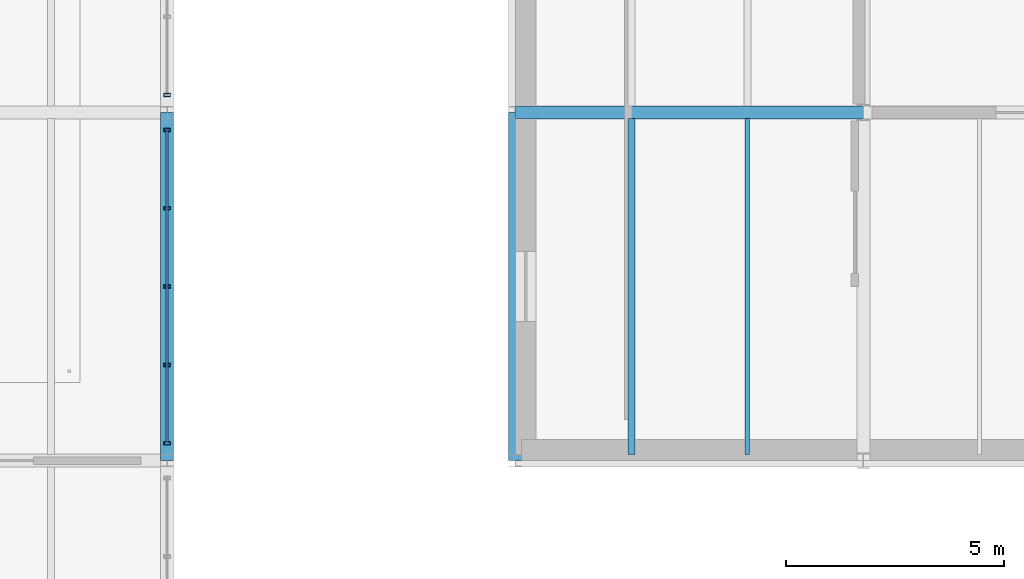
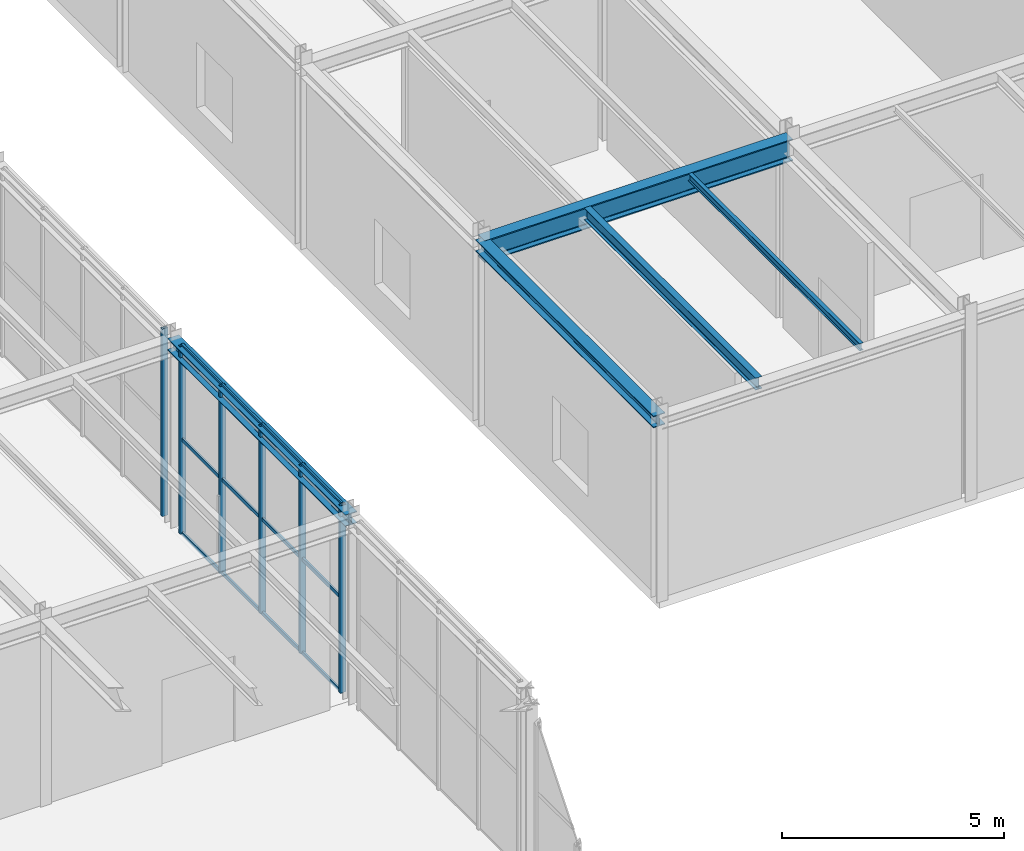
# One storey, part 50 of 129: 18 members, 5 beams, 2 elements without a shape of their own.
"""IFC4 building model written with IfcOpenShell, lengths in metres."""

from ifc_helpers import new_model, si_unit, direction, frame, origin, origin_2d, place, context, subcontext, project, spatial, hollow_rectangle, i_section, extrude, material, material_profile, profile_set, type_object, element, aggregate, save


model = new_model("IFC4")

# Units and contexts
model_context = context("Model", 3, precision=1e-05, world=origin(), true_north=direction((0.0, 1.0)))
body_context = subcontext(model_context, "Body", "Model", "MODEL_VIEW")
ifc_project = project(units=[si_unit("LENGTHUNIT", "METRE"), si_unit("AREAUNIT", "SQUARE_METRE"), si_unit("VOLUMEUNIT", "CUBIC_METRE"), si_unit("PLANEANGLEUNIT", "RADIAN"), si_unit("MASSUNIT", "GRAM", prefix="KILO")], contexts=[model_context])

# Site, building, storey
site_placement = place(None, origin())
site = spatial("IfcSite", under=ifc_project, at=site_placement, CompositionType="ELEMENT")
building_placement = place(site_placement, origin())
building = spatial("IfcBuilding", under=site, at=building_placement, Name="Sundkrona Museum", CompositionType="ELEMENT")
storey_placement = place(building_placement, origin())
storey = spatial("IfcBuildingStorey", under=building, at=storey_placement, Name="L00", CompositionType="ELEMENT", Elevation=0.0)

# Beams
ifc_material_1 = material(Name="Steel S355J2", Category="steel")
ifc_material_profile_1 = material_profile(ifc_material_1, i_section(OverallWidth=0.300048828125, OverallDepth=0.60009765625, WebThickness=0.015380859375, FlangeThickness=0.030029296875, FilletRadius=0.027099609375, at=origin_2d()), Name="HEB 600")
ifc_profile_set_1 = profile_set([ifc_material_profile_1], Name="Steel S355J2")
beam_type_1 = type_object("IfcBeamType", Name="B-HEB600", PredefinedType="BEAM", material=ifc_profile_set_1)
beam_1_placement = place(storey_placement, frame((104.0, 86.0, 4.75), z_axis=(1.0, 0.0, 0.0), x_axis=(0.0, 1.0, 0.0)))
element("IfcBeam", 1, at=beam_1_placement, inside=storey, type_object=beam_type_1, Name="L00 Girder X-0540", PredefinedType="BEAM", context=body_context, shape_type="SweptSolid", body=[
    extrude(i_section(OverallWidth=0.300048828125, OverallDepth=0.60009765625, WebThickness=0.015380859375, FlangeThickness=0.030029296875, FilletRadius=0.027099609375, at=origin_2d()), origin(), (0.0, 0.0, 1.0), 8.0),
])
ifc_material_profile_2 = material_profile(ifc_material_1, i_section(OverallWidth=0.10009765625, OverallDepth=0.199951171875, WebThickness=0.005615234375, FlangeThickness=0.008544921875, FilletRadius=0.011962890625, at=origin_2d()), Name="IPE 200")
ifc_profile_set_2 = profile_set([ifc_material_profile_2], Name="Steel S355J2")
beam_type_2 = type_object("IfcBeamType", Name="J-IPE200", PredefinedType="JOIST", material=ifc_profile_set_2)
beam_2_placement = place(storey_placement, frame((109.333251953125, 78.14404296875, 4.949951171875), z_axis=(0.0, 1.0, 0.0), x_axis=(-1.0, 0.0, 0.0)))
element("IfcBeam", 2, at=beam_2_placement, inside=storey, type_object=beam_type_2, Name="L00 Composite Joist 0440", PredefinedType="JOIST", context=body_context, shape_type="SweptSolid", body=[
    extrude(i_section(OverallWidth=0.10009765625, OverallDepth=0.199951171875, WebThickness=0.005615234375, FlangeThickness=0.008544921875, FilletRadius=0.011962890625, at=origin_2d()), origin(), (0.0, 0.0, 1.0), 7.7119140625),
])
ifc_material_profile_3 = material_profile(ifc_material_1, i_section(OverallWidth=0.159912109375, OverallDepth=0.330078125, WebThickness=0.007568359375, FlangeThickness=0.011474609375, FilletRadius=0.01806640625, at=origin_2d()), Name="IPE 330")
ifc_profile_set_3 = profile_set([ifc_material_profile_3], Name="Steel S355J2")
beam_type_3 = type_object("IfcBeamType", Name="J-IPE330", PredefinedType="JOIST", material=ifc_profile_set_3)
beam_3_placement = place(storey_placement, frame((106.666748046875, 78.14404296875, 4.885009765625), z_axis=(0.0, 1.0, 0.0), x_axis=(-1.0, 0.0, 0.0)))
element("IfcBeam", 3, at=beam_3_placement, inside=storey, type_object=beam_type_3, Name="L00 Composite Joist 0439", PredefinedType="JOIST", context=body_context, shape_type="SweptSolid", body=[
    extrude(i_section(OverallWidth=0.159912109375, OverallDepth=0.330078125, WebThickness=0.007568359375, FlangeThickness=0.011474609375, FilletRadius=0.01806640625, at=origin_2d()), origin(), (0.0, 0.0, 1.0), 7.7119140625),
])

# Curtain wall, members
ifc_material_2 = material(Name="Unitised Aluminium-Steel and Ceramic-Clad Curtain Walling", Category="steel")
curtain_wall_type = type_object("IfcCurtainWallType", Name="CW-PS-74x48", PredefinedType="NOTDEFINED", material=ifc_material_2)
curtain_wall_1_placement = place(storey_placement, origin())
curtain_wall_1 = element("IfcCurtainWall", 4, at=curtain_wall_1_placement, inside=storey, type_object=curtain_wall_type, Name="L00 Curtain Wall CW-L00-103", PredefinedType="NOTDEFINED")
ifc_material_3 = material(Name="Aluminium EN AW-6060 T66", Category="aluminium")
ifc_material_profile_4 = material_profile(ifc_material_3, hollow_rectangle(XDim=0.074951171875, YDim=0.14990234375, WallThickness=0.00634765625, at=origin_2d()), Name="RHS 150x75x6.3")
ifc_profile_set_4 = profile_set([ifc_material_profile_4], Name="Aluminium EN AW-6060 T66")
member_type_1 = type_object("IfcMemberType", Name="ML-150", PredefinedType="MULLION", material=ifc_profile_set_4)
member_1_placement = place(storey_placement, frame((96.0, 78.39990234375, -0.00390625), z_axis=(0.0, 0.0, 1.0), x_axis=(0.0, 1.0, 0.0)))
member_1 = element("IfcMember", 5, at=member_1_placement, type_object=member_type_1, Name="CW-L00-103 Mullion 01", PredefinedType="MULLION", context=body_context, shape_type="SweptSolid", body=[
    extrude(hollow_rectangle(XDim=0.074951171875, YDim=0.14990234375, WallThickness=0.00634765625, at=origin_2d()), origin(), (0.0, 0.0, 1.0), 5.14794921875),
])
member_2_placement = place(storey_placement, frame((96.0, 80.199951171875, -0.00390625), z_axis=(0.0, 0.0, 1.0), x_axis=(0.0, 1.0, 0.0)))
member_2 = element("IfcMember", 6, at=member_2_placement, type_object=member_type_1, Name="CW-L00-103 Mullion 02", PredefinedType="MULLION", context=body_context, shape_type="SweptSolid", body=[
    extrude(hollow_rectangle(XDim=0.074951171875, YDim=0.14990234375, WallThickness=0.00634765625, at=origin_2d()), origin(), (0.0, 0.0, 1.0), 5.14794921875),
])
member_3_placement = place(storey_placement, frame((96.0, 82.0, -0.00390625), z_axis=(0.0, 0.0, 1.0), x_axis=(0.0, 1.0, 0.0)))
member_3 = element("IfcMember", 7, at=member_3_placement, type_object=member_type_1, Name="CW-L00-103 Mullion 03", PredefinedType="MULLION", context=body_context, shape_type="SweptSolid", body=[
    extrude(hollow_rectangle(XDim=0.074951171875, YDim=0.14990234375, WallThickness=0.00634765625, at=origin_2d()), origin(), (0.0, 0.0, 1.0), 5.14794921875),
])
member_4_placement = place(storey_placement, frame((96.0, 83.800048828125, -0.00390625), z_axis=(0.0, 0.0, 1.0), x_axis=(0.0, 1.0, 0.0)))
member_4 = element("IfcMember", 8, at=member_4_placement, type_object=member_type_1, Name="CW-L00-103 Mullion 04", PredefinedType="MULLION", context=body_context, shape_type="SweptSolid", body=[
    extrude(hollow_rectangle(XDim=0.074951171875, YDim=0.14990234375, WallThickness=0.00634765625, at=origin_2d()), origin(), (0.0, 0.0, 1.0), 5.14794921875),
])
member_5_placement = place(storey_placement, frame((96.0, 85.60009765625, -0.00390625), z_axis=(0.0, 0.0, 1.0), x_axis=(0.0, 1.0, 0.0)))
member_5 = element("IfcMember", 9, at=member_5_placement, type_object=member_type_1, Name="CW-L00-103 Mullion 05", PredefinedType="MULLION", context=body_context, shape_type="SweptSolid", body=[
    extrude(hollow_rectangle(XDim=0.074951171875, YDim=0.14990234375, WallThickness=0.00634765625, at=origin_2d()), origin(), (0.0, 0.0, 1.0), 5.14794921875),
])

# Curtain wall, member
curtain_wall_2_placement = place(storey_placement, origin())
curtain_wall_2 = element("IfcCurtainWall", 10, at=curtain_wall_2_placement, inside=storey, type_object=curtain_wall_type, Name="L00 Curtain Wall CW-L00-105", PredefinedType="NOTDEFINED")
member_6_placement = place(storey_placement, frame((96.0, 86.39990234375, -0.00390625), z_axis=(0.0, 0.0, 1.0), x_axis=(0.0, 1.0, 0.0)))
member_6 = element("IfcMember", 11, at=member_6_placement, type_object=member_type_1, Name="CW-L00-105 Mullion 01", PredefinedType="MULLION", context=body_context, shape_type="SweptSolid", body=[
    extrude(hollow_rectangle(XDim=0.074951171875, YDim=0.14990234375, WallThickness=0.00634765625, at=origin_2d()), origin(), (0.0, 0.0, 1.0), 5.14794921875),
])
aggregate(curtain_wall_2, [member_6])

# Beams
ifc_material_profile_5 = material_profile(ifc_material_1, i_section(OverallWidth=0.300048828125, OverallDepth=0.320068359375, WebThickness=0.011474609375, FlangeThickness=0.0205078125, FilletRadius=0.027099609375, at=origin_2d()), Name="HEB 320")
ifc_profile_set_5 = profile_set([ifc_material_profile_5], Name="Steel S355J2")
beam_type_4 = type_object("IfcBeamType", Name="SP-HEB320", PredefinedType="SPANDREL", material=ifc_profile_set_5)
for number, where, z_axis, x_axis, name in (
    (12, (96.0, 78.0, 4.97998046875), (0.0, 1.0, 0.0), (-1.0, 0.0, 0.0), "L00 Girder Y-0706"),
    (13, (104.0, 78.0, 4.889892578125), (0.0, 1.0, 0.0), (-1.0, 0.0, 0.0), "L00 Girder Y-0711"),
):
    element("IfcBeam", number, at=place(storey_placement, frame(where, z_axis=z_axis, x_axis=x_axis)), inside=storey, type_object=beam_type_4, Name=name, PredefinedType="SPANDREL", context=body_context, shape_type="SweptSolid", body=[
        extrude(i_section(OverallWidth=0.300048828125, OverallDepth=0.320068359375, WebThickness=0.011474609375, FlangeThickness=0.0205078125, FilletRadius=0.027099609375, at=origin_2d()), origin(), (0.0, 0.0, 1.0), 8.0),
    ])

# Member
ifc_material_profile_6 = material_profile(ifc_material_3, hollow_rectangle(XDim=0.050048828125, YDim=0.10009765625, WallThickness=0.0048828125, at=origin_2d()), Name="RHS 100x50x5.0")
ifc_profile_set_6 = profile_set([ifc_material_profile_6], Name="Aluminium EN AW-6060 T66")
member_type_2 = type_object("IfcMemberType", Name="TR-100", PredefinedType="USERDEFINED", material=ifc_profile_set_6)
member_7_placement = place(storey_placement, frame((96.0, 78.39990234375, -0.00390625), z_axis=(0.0, 1.0, 0.0), x_axis=(-1.0, 0.0, 0.0)))
member_7 = element("IfcMember", 14, at=member_7_placement, type_object=member_type_2, Name="CW-L00-103 Transom 01", ObjectType="TRANSOM", PredefinedType="USERDEFINED", context=body_context, shape_type="SweptSolid", body=[
    extrude(hollow_rectangle(XDim=0.050048828125, YDim=0.10009765625, WallThickness=0.0048828125, at=origin_2d()), origin(), (0.0, 0.0, 1.0), 1.800048828125),
])

member_8_placement = place(storey_placement, frame((96.0, 78.39990234375, 2.570068359375), z_axis=(0.0, 1.0, 0.0), x_axis=(-1.0, 0.0, 0.0)))
member_8 = element("IfcMember", 15, at=member_8_placement, type_object=member_type_2, Name="CW-L00-103 Transom 02", ObjectType="TRANSOM", PredefinedType="USERDEFINED", context=body_context, shape_type="SweptSolid", body=[
    extrude(hollow_rectangle(XDim=0.050048828125, YDim=0.10009765625, WallThickness=0.0048828125, at=origin_2d()), origin(), (0.0, 0.0, 1.0), 1.800048828125),
])

member_9_placement = place(storey_placement, frame((96.0, 78.39990234375, 5.14404296875), z_axis=(0.0, 1.0, 0.0), x_axis=(-1.0, 0.0, 0.0)))
member_9 = element("IfcMember", 16, at=member_9_placement, type_object=member_type_2, Name="CW-L00-103 Transom 03", ObjectType="TRANSOM", PredefinedType="USERDEFINED", context=body_context, shape_type="SweptSolid", body=[
    extrude(hollow_rectangle(XDim=0.050048828125, YDim=0.10009765625, WallThickness=0.0048828125, at=origin_2d()), origin(), (0.0, 0.0, 1.0), 1.800048828125),
])

member_10_placement = place(storey_placement, frame((96.0, 80.199951171875, -0.00390625), z_axis=(0.0, 1.0, 0.0), x_axis=(-1.0, 0.0, 0.0)))
member_10 = element("IfcMember", 17, at=member_10_placement, type_object=member_type_2, Name="CW-L00-103 Transom 04", ObjectType="TRANSOM", PredefinedType="USERDEFINED", context=body_context, shape_type="SweptSolid", body=[
    extrude(hollow_rectangle(XDim=0.050048828125, YDim=0.10009765625, WallThickness=0.0048828125, at=origin_2d()), origin(), (0.0, 0.0, 1.0), 1.800048828125),
])

member_11_placement = place(storey_placement, frame((96.0, 80.199951171875, 2.570068359375), z_axis=(0.0, 1.0, 0.0), x_axis=(-1.0, 0.0, 0.0)))
member_11 = element("IfcMember", 18, at=member_11_placement, type_object=member_type_2, Name="CW-L00-103 Transom 05", ObjectType="TRANSOM", PredefinedType="USERDEFINED", context=body_context, shape_type="SweptSolid", body=[
    extrude(hollow_rectangle(XDim=0.050048828125, YDim=0.10009765625, WallThickness=0.0048828125, at=origin_2d()), origin(), (0.0, 0.0, 1.0), 1.800048828125),
])

member_12_placement = place(storey_placement, frame((96.0, 80.199951171875, 5.14404296875), z_axis=(0.0, 1.0, 0.0), x_axis=(-1.0, 0.0, 0.0)))
member_12 = element("IfcMember", 19, at=member_12_placement, type_object=member_type_2, Name="CW-L00-103 Transom 06", ObjectType="TRANSOM", PredefinedType="USERDEFINED", context=body_context, shape_type="SweptSolid", body=[
    extrude(hollow_rectangle(XDim=0.050048828125, YDim=0.10009765625, WallThickness=0.0048828125, at=origin_2d()), origin(), (0.0, 0.0, 1.0), 1.800048828125),
])

member_13_placement = place(storey_placement, frame((96.0, 82.0, -0.00390625), z_axis=(0.0, 1.0, 0.0), x_axis=(-1.0, 0.0, 0.0)))
member_13 = element("IfcMember", 20, at=member_13_placement, type_object=member_type_2, Name="CW-L00-103 Transom 07", ObjectType="TRANSOM", PredefinedType="USERDEFINED", context=body_context, shape_type="SweptSolid", body=[
    extrude(hollow_rectangle(XDim=0.050048828125, YDim=0.10009765625, WallThickness=0.0048828125, at=origin_2d()), origin(), (0.0, 0.0, 1.0), 1.800048828125),
])

member_14_placement = place(storey_placement, frame((96.0, 82.0, 2.570068359375), z_axis=(0.0, 1.0, 0.0), x_axis=(-1.0, 0.0, 0.0)))
member_14 = element("IfcMember", 21, at=member_14_placement, type_object=member_type_2, Name="CW-L00-103 Transom 08", ObjectType="TRANSOM", PredefinedType="USERDEFINED", context=body_context, shape_type="SweptSolid", body=[
    extrude(hollow_rectangle(XDim=0.050048828125, YDim=0.10009765625, WallThickness=0.0048828125, at=origin_2d()), origin(), (0.0, 0.0, 1.0), 1.800048828125),
])

member_15_placement = place(storey_placement, frame((96.0, 82.0, 5.14404296875), z_axis=(0.0, 1.0, 0.0), x_axis=(-1.0, 0.0, 0.0)))
member_15 = element("IfcMember", 22, at=member_15_placement, type_object=member_type_2, Name="CW-L00-103 Transom 09", ObjectType="TRANSOM", PredefinedType="USERDEFINED", context=body_context, shape_type="SweptSolid", body=[
    extrude(hollow_rectangle(XDim=0.050048828125, YDim=0.10009765625, WallThickness=0.0048828125, at=origin_2d()), origin(), (0.0, 0.0, 1.0), 1.800048828125),
])

member_16_placement = place(storey_placement, frame((96.0, 83.800048828125, -0.00390625), z_axis=(0.0, 1.0, 0.0), x_axis=(-1.0, 0.0, 0.0)))
member_16 = element("IfcMember", 23, at=member_16_placement, type_object=member_type_2, Name="CW-L00-103 Transom 10", ObjectType="TRANSOM", PredefinedType="USERDEFINED", context=body_context, shape_type="SweptSolid", body=[
    extrude(hollow_rectangle(XDim=0.050048828125, YDim=0.10009765625, WallThickness=0.0048828125, at=origin_2d()), origin(), (0.0, 0.0, 1.0), 1.800048828125),
])

member_17_placement = place(storey_placement, frame((96.0, 83.800048828125, 2.570068359375), z_axis=(0.0, 1.0, 0.0), x_axis=(-1.0, 0.0, 0.0)))
member_17 = element("IfcMember", 24, at=member_17_placement, type_object=member_type_2, Name="CW-L00-103 Transom 11", ObjectType="TRANSOM", PredefinedType="USERDEFINED", context=body_context, shape_type="SweptSolid", body=[
    extrude(hollow_rectangle(XDim=0.050048828125, YDim=0.10009765625, WallThickness=0.0048828125, at=origin_2d()), origin(), (0.0, 0.0, 1.0), 1.800048828125),
])

member_18_placement = place(storey_placement, frame((96.0, 83.800048828125, 5.14404296875), z_axis=(0.0, 1.0, 0.0), x_axis=(-1.0, 0.0, 0.0)))
member_18 = element("IfcMember", 25, at=member_18_placement, type_object=member_type_2, Name="CW-L00-103 Transom 12", ObjectType="TRANSOM", PredefinedType="USERDEFINED", context=body_context, shape_type="SweptSolid", body=[
    extrude(hollow_rectangle(XDim=0.050048828125, YDim=0.10009765625, WallThickness=0.0048828125, at=origin_2d()), origin(), (0.0, 0.0, 1.0), 1.800048828125),
])

aggregate(curtain_wall_1, [member_1, member_2, member_3, member_4, member_5, member_7, member_8, member_9, member_10, member_11, member_12, member_13, member_14, member_15, member_16, member_17, member_18])

save(model, "model.ifc")
